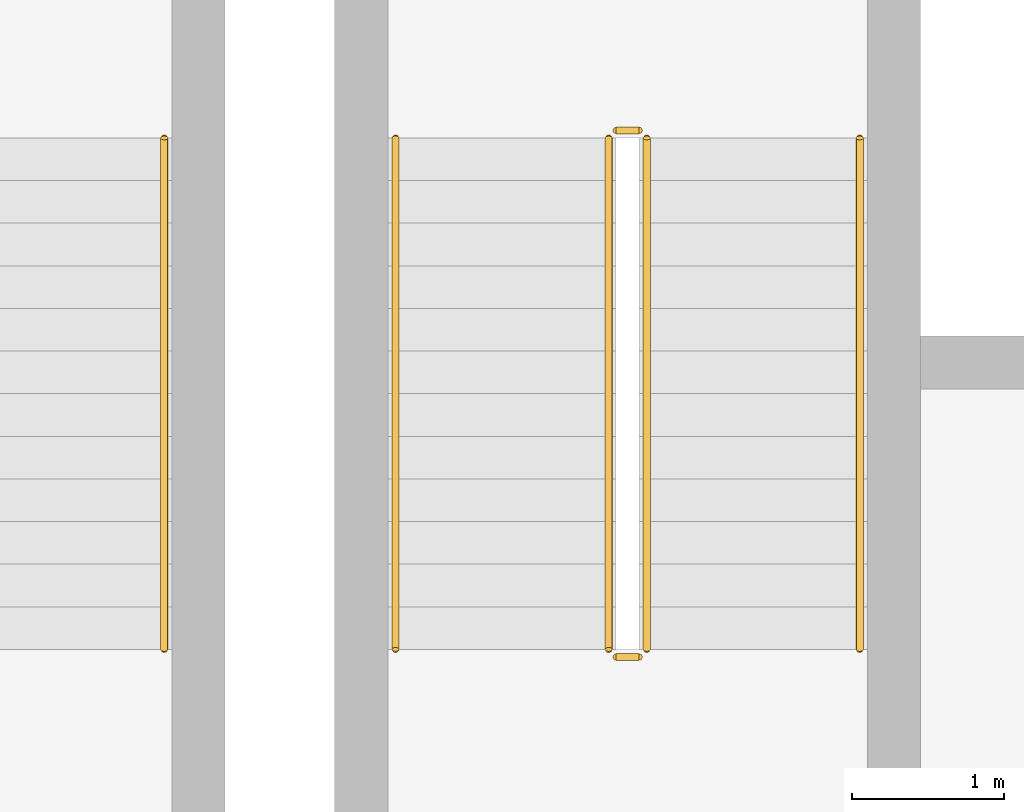
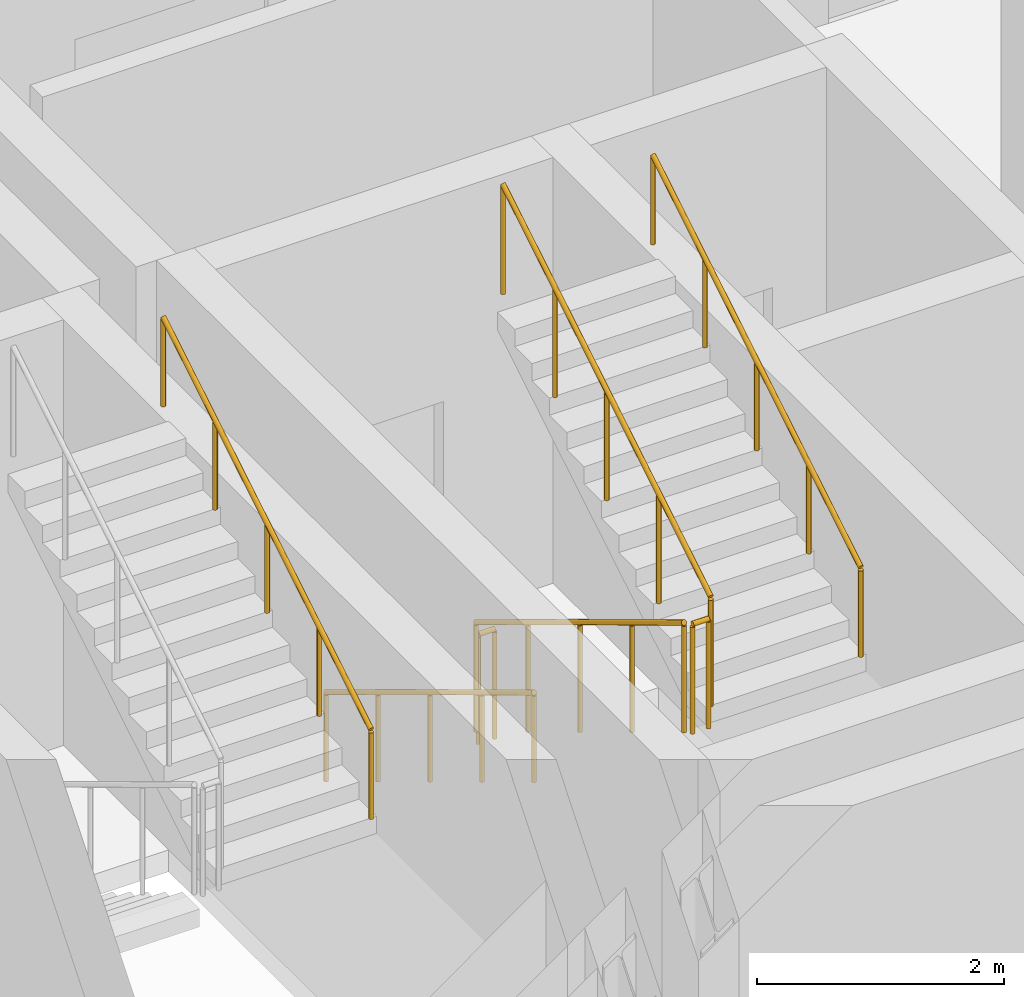
# One storey, part 66 of 72: 7 railings.
"""IFC4 building model written with IfcOpenShell, lengths in metres."""

from ifc_helpers import new_model, si_unit, direction, frame, origin, origin_2d, place, context, subcontext, project, spatial, circle, extrude, material, layer, layer_set, type_object, element, save


model = new_model("IFC4")

# Units and contexts
model_context = context("Model", 3, precision=1e-05, world=origin(), true_north=direction((0.0, 1.0)))
body_context = subcontext(model_context, "Body", "Model", "MODEL_VIEW")
ifc_project = project(units=[si_unit("LENGTHUNIT", "METRE"), si_unit("AREAUNIT", "SQUARE_METRE"), si_unit("VOLUMEUNIT", "CUBIC_METRE"), si_unit("PLANEANGLEUNIT", "RADIAN"), si_unit("MASSUNIT", "GRAM", prefix="KILO")], contexts=[model_context])

# Site, building, storey
site_placement = place(None, origin())
site = spatial("IfcSite", under=ifc_project, at=site_placement, CompositionType="ELEMENT")
building_placement = place(site_placement, origin())
building = spatial("IfcBuilding", under=site, at=building_placement, Name="Zarrinpeak Specialist Clinic", CompositionType="ELEMENT")
storey_placement = place(building_placement, frame((0.0, 0.0, 9.60009765625)))
storey = spatial("IfcBuildingStorey", under=building, at=storey_placement, Name="L02", CompositionType="ELEMENT", Elevation=9.60009765625)

# Railings
ifc_material_1 = material(Name="Laminated Safety Glass and Stainless Steel 316", Category="steel")
ifc_layer_1 = layer(ifc_material_1, 0.06005859375)
ifc_layer_set_1 = layer_set([ifc_layer_1], Name="Laminated Safety Glass and Stainless Steel 316")
railing_type_1 = type_object("IfcRailingType", Name="RL-GRD115", PredefinedType="GUARDRAIL", material=ifc_layer_set_1)
railing_1_placement = place(storey_placement, frame((60.1201171875, 6.85009765625, 0.169189453125)))
element("IfcRailing", 1, at=railing_1_placement, inside=storey, type_object=railing_type_1, Name="L02 ST-07 stair guard 1", PredefinedType="GUARDRAIL", context=body_context, shape_type="SweptSolid", body=[
    extrude(circle(Radius=0.02392578125, at=origin_2d()), frame((0.0, 0.0, 1.076171875), z_axis=(0.0, -0.855836976705, 0.517245656632), x_axis=(1.0, 0.0, 0.0)), (0.0, 0.0, 1.0), 3.926025390625),
    extrude(circle(Radius=0.02099609375, at=origin_2d()), origin(), (0.0, 0.0, 1.0), 1.052001953125),
    extrude(circle(Radius=0.02099609375, at=origin_2d()), frame((0.0, -0.840087890625, 0.5078125)), (0.0, 0.0, 1.0), 1.052001953125),
    extrude(circle(Radius=0.02099609375, at=origin_2d()), frame((0.0, -1.68017578125, 1.015380859375)), (0.0, 0.0, 1.0), 1.052001953125),
    extrude(circle(Radius=0.02099609375, at=origin_2d()), frame((0.0, -2.52001953125, 1.52294921875)), (0.0, 0.0, 1.0), 1.052001953125),
    extrude(circle(Radius=0.02099609375, at=origin_2d()), frame((0.0, -3.360107421875, 2.03076171875)), (0.0, 0.0, 1.0), 1.052001953125),
])
railing_2_placement = place(storey_placement, frame((60.169921875, 3.43994140625, 2.199951171875)))
element("IfcRailing", 2, at=railing_2_placement, inside=storey, type_object=railing_type_1, Name="L02 ST-07 stair guard 2", PredefinedType="GUARDRAIL", context=body_context, shape_type="SweptSolid", body=[
    extrude(circle(Radius=0.02392578125, at=origin_2d()), frame((0.0, 0.0, 1.076171875), z_axis=(1.0, 0.0, 0.0), x_axis=(0.0, 1.0, 0.0)), (0.0, 0.0, 1.0), 0.150146484375),
    extrude(circle(Radius=0.02099609375, at=origin_2d()), origin(), (0.0, 0.0, 1.0), 1.052001953125),
    extrude(circle(Radius=0.02099609375, at=origin_2d()), frame((0.150146484375, 0.0, 0.0)), (0.0, 0.0, 1.0), 1.052001953125),
])
railing_3_placement = place(storey_placement, frame((60.3701171875, 3.489990234375, 2.369140625)))
element("IfcRailing", 3, at=railing_3_placement, inside=storey, type_object=railing_type_1, Name="L02 ST-07 stair guard 3", PredefinedType="GUARDRAIL", context=body_context, shape_type="SweptSolid", body=[
    extrude(circle(Radius=0.02392578125, at=origin_2d()), frame((0.0, 0.0, 1.076171875), z_axis=(0.0, 0.855836976705, 0.517245656632), x_axis=(-1.0, 0.0, 0.0)), (0.0, 0.0, 1.0), 3.926025390625),
    extrude(circle(Radius=0.02099609375, at=origin_2d()), origin(), (0.0, 0.0, 1.0), 1.052001953125),
    extrude(circle(Radius=0.02099609375, at=origin_2d()), frame((0.0, 0.840087890625, 0.5078125)), (0.0, 0.0, 1.0), 1.052001953125),
    extrude(circle(Radius=0.02099609375, at=origin_2d()), frame((0.0, 1.68017578125, 1.015380859375)), (0.0, 0.0, 1.0), 1.052001953125),
    extrude(circle(Radius=0.02099609375, at=origin_2d()), frame((0.0, 2.52001953125, 1.52294921875)), (0.0, 0.0, 1.0), 1.052001953125),
    extrude(circle(Radius=0.02099609375, at=origin_2d()), frame((0.0, 3.360107421875, 2.03076171875)), (0.0, 0.0, 1.0), 1.052001953125),
])
railing_4_placement = place(storey_placement, frame((60.169921875, 6.89990234375, 0.0)))
element("IfcRailing", 4, at=railing_4_placement, inside=storey, type_object=railing_type_1, Name="L02 ST-07 stair guard 4", PredefinedType="GUARDRAIL", context=body_context, shape_type="SweptSolid", body=[
    extrude(circle(Radius=0.02392578125, at=origin_2d()), frame((0.0, 0.0, 1.076171875), z_axis=(1.0, 0.0, 0.0), x_axis=(0.0, 1.0, 0.0)), (0.0, 0.0, 1.0), 0.150146484375),
    extrude(circle(Radius=0.02099609375, at=origin_2d()), origin(), (0.0, 0.0, 1.0), 1.052001953125),
    extrude(circle(Radius=0.02099609375, at=origin_2d()), frame((0.150146484375, 0.0, 0.0)), (0.0, 0.0, 1.0), 1.052001953125),
])
ifc_material_2 = material(Name="Brushed Stainless Steel 316 Handrail", Category="steel")
ifc_layer_2 = layer(ifc_material_2, 0.050048828125)
ifc_layer_set_2 = layer_set([ifc_layer_2], Name="Brushed Stainless Steel 316 Handrail")
railing_type_2 = type_object("IfcRailingType", Name="RL-HND92", PredefinedType="HANDRAIL", material=ifc_layer_set_2)
railing_5_placement = place(storey_placement, frame((57.199951171875, 3.489990234375, 2.369140625)))
element("IfcRailing", 5, at=railing_5_placement, inside=storey, type_object=railing_type_2, Name="L02 ST-04 stair handrail 2", PredefinedType="HANDRAIL", context=body_context, shape_type="SweptSolid", body=[
    extrude(circle(Radius=0.02392578125, at=origin_2d()), frame((0.0, 0.0, 0.8759765625), z_axis=(0.0, 0.855836976705, 0.517245656632), x_axis=(-1.0, 0.0, 0.0)), (0.0, 0.0, 1.0), 3.926025390625),
    extrude(circle(Radius=0.02099609375, at=origin_2d()), origin(), (0.0, 0.0, 1.0), 0.851806640625),
    extrude(circle(Radius=0.02099609375, at=origin_2d()), frame((0.0, 0.840087890625, 0.5078125)), (0.0, 0.0, 1.0), 0.851806640625),
    extrude(circle(Radius=0.02099609375, at=origin_2d()), frame((0.0, 1.68017578125, 1.015380859375)), (0.0, 0.0, 1.0), 0.851806640625),
    extrude(circle(Radius=0.02099609375, at=origin_2d()), frame((0.0, 2.52001953125, 1.52294921875)), (0.0, 0.0, 1.0), 0.851806640625),
    extrude(circle(Radius=0.02099609375, at=origin_2d()), frame((0.0, 3.360107421875, 2.03076171875)), (0.0, 0.0, 1.0), 0.851806640625),
])
railing_6_placement = place(storey_placement, frame((58.719970703125, 6.85009765625, 0.169189453125)))
element("IfcRailing", 6, at=railing_6_placement, inside=storey, type_object=railing_type_2, Name="L02 ST-07 stair handrail 1", PredefinedType="HANDRAIL", context=body_context, shape_type="SweptSolid", body=[
    extrude(circle(Radius=0.02392578125, at=origin_2d()), frame((0.0, 0.0, 0.8759765625), z_axis=(0.0, -0.855836976705, 0.517245656632), x_axis=(1.0, 0.0, 0.0)), (0.0, 0.0, 1.0), 3.926025390625),
    extrude(circle(Radius=0.02099609375, at=origin_2d()), origin(), (0.0, 0.0, 1.0), 0.851806640625),
    extrude(circle(Radius=0.02099609375, at=origin_2d()), frame((0.0, -0.840087890625, 0.5078125)), (0.0, 0.0, 1.0), 0.851806640625),
    extrude(circle(Radius=0.02099609375, at=origin_2d()), frame((0.0, -1.68017578125, 1.015380859375)), (0.0, 0.0, 1.0), 0.851806640625),
    extrude(circle(Radius=0.02099609375, at=origin_2d()), frame((0.0, -2.52001953125, 1.52294921875)), (0.0, 0.0, 1.0), 0.851806640625),
    extrude(circle(Radius=0.02099609375, at=origin_2d()), frame((0.0, -3.360107421875, 2.03076171875)), (0.0, 0.0, 1.0), 0.851806640625),
])
railing_7_placement = place(storey_placement, frame((61.77001953125, 3.489990234375, 2.369140625)))
element("IfcRailing", 7, at=railing_7_placement, inside=storey, type_object=railing_type_2, Name="L02 ST-07 stair handrail 2", PredefinedType="HANDRAIL", context=body_context, shape_type="SweptSolid", body=[
    extrude(circle(Radius=0.02392578125, at=origin_2d()), frame((0.0, 0.0, 0.8759765625), z_axis=(0.0, 0.855836976705, 0.517245656632), x_axis=(-1.0, 0.0, 0.0)), (0.0, 0.0, 1.0), 3.926025390625),
    extrude(circle(Radius=0.02099609375, at=origin_2d()), origin(), (0.0, 0.0, 1.0), 0.851806640625),
    extrude(circle(Radius=0.02099609375, at=origin_2d()), frame((0.0, 0.840087890625, 0.5078125)), (0.0, 0.0, 1.0), 0.851806640625),
    extrude(circle(Radius=0.02099609375, at=origin_2d()), frame((0.0, 1.68017578125, 1.015380859375)), (0.0, 0.0, 1.0), 0.851806640625),
    extrude(circle(Radius=0.02099609375, at=origin_2d()), frame((0.0, 2.52001953125, 1.52294921875)), (0.0, 0.0, 1.0), 0.851806640625),
    extrude(circle(Radius=0.02099609375, at=origin_2d()), frame((0.0, 3.360107421875, 2.03076171875)), (0.0, 0.0, 1.0), 0.851806640625),
])

save(model, "model.ifc")
